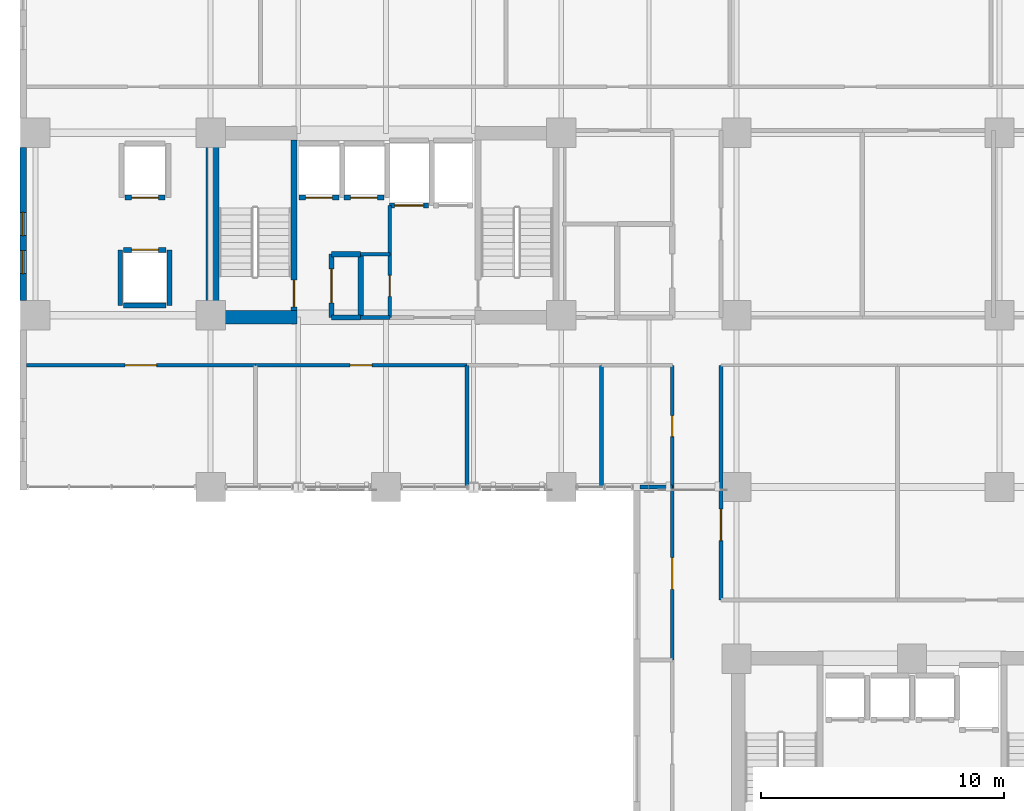
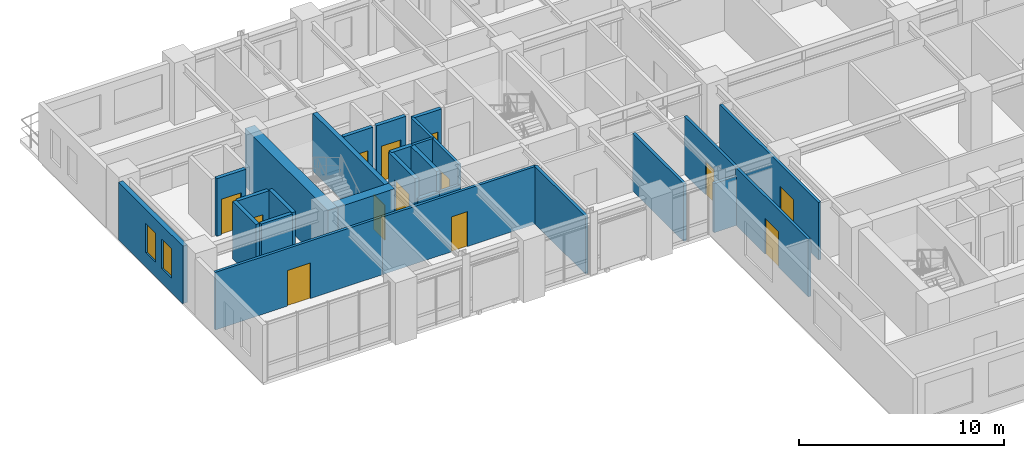
# One storey, part 8 of 16: 28 walls, 13 doors, 2 windows, 15 openings.
"""IFC4 building model written with IfcOpenShell, lengths in metres."""

from ifc_helpers import new_model, si_unit, direction, frame, frame_2d, origin, place, context, subcontext, project, spatial, rectangle, extrude, material, layer, layer_set, type_object, element, fill, save


model = new_model("IFC4")

# Units and contexts
model_context = context("Model", 3, precision=1e-05, world=origin(), true_north=direction((0.0, 1.0)))
body_context = subcontext(model_context, "Body", "Model", "MODEL_VIEW")
ifc_project = project(units=[si_unit("LENGTHUNIT", "METRE"), si_unit("AREAUNIT", "SQUARE_METRE"), si_unit("VOLUMEUNIT", "CUBIC_METRE"), si_unit("PLANEANGLEUNIT", "RADIAN"), si_unit("MASSUNIT", "GRAM", prefix="KILO")], contexts=[model_context])

# Site, building, storey
site_placement = place(None, origin())
site = spatial("IfcSite", under=ifc_project, at=site_placement, CompositionType="ELEMENT")
building_placement = place(site_placement, origin())
building = spatial("IfcBuilding", under=site, at=building_placement, Name="Kaliganga Portal Commons", CompositionType="ELEMENT")
storey_placement = place(building_placement, frame((0.0, 0.0, 82.300048828125)))
storey = spatial("IfcBuildingStorey", under=building, at=storey_placement, Name="L20", CompositionType="ELEMENT", Elevation=82.300048828125)

# Walls
ifc_material_1 = material(Name="Concrete C60/75", Category="concrete")
ifc_layer_1 = layer(ifc_material_1, 0.550048828125)
ifc_layer_set_1 = layer_set([ifc_layer_1], Name="Concrete C60/75")
wall_type_1 = type_object("IfcWallType", Name="WL-CORE-550", PredefinedType="SHEAR", material=ifc_layer_set_1)
wall_1_placement = place(storey_placement, frame((14.47509765625, 28.300048828125, 0.0), z_axis=(0.0, 0.0, 1.0), x_axis=(0.0, 1.0, 0.0)))
element("IfcWall", 1, at=wall_1_placement, inside=storey, type_object=wall_type_1, Name="Core A West Shear Wall L20", PredefinedType="SHEAR", context=body_context, shape_type="SweptSolid", body=[
    extrude(rectangle(XDim=8.099853515625, YDim=0.550048828125, at=frame_2d((4.0498046875, 0.0))), origin(), (0.0, 0.0, 1.0), 3.449951171875),
])
wall_2_placement = place(storey_placement, frame((14.75, 28.574951171875, 0.0), z_axis=(0.0, 0.0, 1.0), x_axis=(1.0, 0.0, 0.0)))
element("IfcWall", 2, at=wall_2_placement, inside=storey, type_object=wall_type_1, Name="Core A S-West Shear Wall L20", PredefinedType="SHEAR", context=body_context, shape_type="SweptSolid", body=[
    extrude(rectangle(XDim=3.199951171875, YDim=0.550048828125, at=frame_2d((1.60009765625, 0.0))), origin(), (0.0, 0.0, 1.0), 3.449951171875),
])

# Wall, openings, windows
ifc_material_2 = material(Name="Insulated Aluminium-Clad Spandrel Assembly", Category="aluminium")
ifc_layer_2 = layer(ifc_material_2, 0.260009765625)
ifc_layer_set_2 = layer_set([ifc_layer_2], Name="Insulated Aluminium-Clad Spandrel Assembly")
wall_type_2 = type_object("IfcWallType", Name="WL-EXT-SPAND-260", PredefinedType="STANDARD", material=ifc_layer_set_2)
wall_3_placement = place(storey_placement, frame((6.699951171875, 29.2509765625, 0.0), z_axis=(0.0, 0.0, 1.0), x_axis=(0.0, 1.0, 0.0)))
wall_3 = element("IfcWall", 3, at=wall_3_placement, inside=storey, type_object=wall_type_2, Name="Exterior Envelope Wall L20 P1-E03-S2", PredefinedType="STANDARD", context=body_context, shape_type="SweptSolid", body=[
    extrude(rectangle(XDim=6.298095703125, YDim=0.260009765625, at=frame_2d((3.14892578125, 0.0))), origin(), (0.0, 0.0, 1.0), 3.429931640625),
])
opening_1_placement = place(wall_3_placement, frame((2.674072265625, 0.0, 0.85009765625)))
opening_1 = element("IfcOpeningElement", 4, at=opening_1_placement, cuts=wall_3, Name="Opening W-04", PredefinedType="OPENING", context=body_context, shape_type="SweptSolid", body=[
    extrude(rectangle(XDim=0.949951171875, YDim=1.75, at=frame_2d((0.47509765625, 0.875))), frame((0.0, 0.14013671875, 0.0), z_axis=(0.0, -1.0, 0.0), x_axis=(1.0, 0.0, 0.0)), (0.0, 0.0, 1.0), 0.280029296875),
])
opening_2_placement = place(wall_3_placement, frame((1.112060546875, 0.0, 0.85009765625)))
opening_2 = element("IfcOpeningElement", 5, at=opening_2_placement, cuts=wall_3, Name="Opening W-04", PredefinedType="OPENING", context=body_context, shape_type="SweptSolid", body=[
    extrude(rectangle(XDim=0.949951171875, YDim=1.75, at=frame_2d((0.47509765625, 0.875))), frame((0.0, 0.14013671875, 0.0), z_axis=(0.0, -1.0, 0.0), x_axis=(1.0, 0.0, 0.0)), (0.0, 0.0, 1.0), 0.280029296875),
])
ifc_material_3 = material(Name="Thermally Broken Aluminium and Low-E Double Glazing", Category="aluminium")
window_type = type_object("IfcWindowType", Name="WIN-NARROW-950", PartitioningType="SINGLE_PANEL", PredefinedType="WINDOW", material=ifc_material_3)
window_1_placement = place(opening_1_placement, origin())
window_1 = element("IfcWindow", 6, at=window_1_placement, inside=storey, type_object=window_type, Name="Facade Window L20-P1E03S2-N0", OverallHeight=1.75, OverallWidth=0.949951171875, PartitioningType="SINGLE_PANEL", PredefinedType="WINDOW", context=body_context, shape_type="SweptSolid", body=[
    extrude(rectangle(XDim=0.949951171875, YDim=1.75, at=frame_2d((0.47509765625, 0.875))), frame((0.0, 0.030029296875, 0.0), z_axis=(0.0, -1.0, 0.0), x_axis=(1.0, 0.0, 0.0)), (0.0, 0.0, 1.0), 0.06005859375),
])
fill(opening_1, window_1)
window_2_placement = place(opening_2_placement, origin())
window_2 = element("IfcWindow", 7, at=window_2_placement, inside=storey, type_object=window_type, Name="Facade Window L20-P1E03S2-N1", OverallHeight=1.75, OverallWidth=0.949951171875, PartitioningType="SINGLE_PANEL", PredefinedType="WINDOW", context=body_context, shape_type="SweptSolid", body=[
    extrude(rectangle(XDim=0.949951171875, YDim=1.75, at=frame_2d((0.47509765625, 0.875))), frame((0.0, 0.030029296875, 0.0), z_axis=(0.0, -1.0, 0.0), x_axis=(1.0, 0.0, 0.0)), (0.0, 0.0, 1.0), 0.06005859375),
])
fill(opening_2, window_2)

# Wall, opening, door
ifc_material_4 = material(Name="Fire-Rated Gypsum Board on Steel Stud", Category="steel")
ifc_layer_3 = layer(ifc_material_4, 0.14990234375)
ifc_layer_set_3 = layer_set([ifc_layer_3], Name="Fire-Rated Gypsum Board on Steel Stud")
wall_type_3 = type_object("IfcWallType", Name="WL-PART-CORR-150", PredefinedType="PARTITIONING", material=ifc_layer_set_3)
wall_4_placement = place(storey_placement, frame((35.360107421875, 16.9599609375, 0.0), z_axis=(0.0, 0.0, 1.0), x_axis=(0.0, 1.0, 0.0)))
wall_4 = element("IfcWall", 8, at=wall_4_placement, inside=storey, type_object=wall_type_3, Name="Interior Partition L20-010", PredefinedType="PARTITIONING", context=body_context, shape_type="SweptSolid", body=[
    extrude(rectangle(XDim=9.64013671875, YDim=0.14990234375, at=frame_2d((4.820068359375, 0.0))), origin(), (0.0, 0.0, 1.0), 3.429931640625),
])
opening_3_placement = place(wall_4_placement, frame((2.434814453125, 0.0, 0.0)))
opening_3 = element("IfcOpeningElement", 9, at=opening_3_placement, cuts=wall_4, Name="Opening RD-03", PredefinedType="OPENING", context=body_context, shape_type="SweptSolid", body=[
    extrude(rectangle(XDim=1.300048828125, YDim=2.1201171875, at=frame_2d((0.64990234375, 1.06005859375))), frame((0.0, 0.0849609375, 0.0), z_axis=(0.0, -1.0, 0.0), x_axis=(1.0, 0.0, 0.0)), (0.0, 0.0, 1.0), 0.169921875),
])
ifc_material_5 = material(Name="Glazed Timber Seminar Vision Door", Category="wood")
door_type_1 = type_object("IfcDoorType", Name="DR-STUDY-1300", OperationType="DOUBLE_DOOR_SINGLE_SWING", PredefinedType="DOOR", material=ifc_material_5)
door_1_placement = place(opening_3_placement, origin())
door_1 = element("IfcDoor", 10, at=door_1_placement, inside=storey, type_object=door_type_1, Name="Interior Door L20-BM01", OperationType="DOUBLE_DOOR_SINGLE_SWING", OverallHeight=2.1201171875, OverallWidth=1.300048828125, PredefinedType="DOOR", context=body_context, shape_type="SweptSolid", body=[
    extrude(rectangle(XDim=1.300048828125, YDim=2.1201171875, at=frame_2d((0.64990234375, 1.06005859375))), frame((0.0, 0.02490234375, 0.0), z_axis=(0.0, -1.0, 0.0), x_axis=(1.0, 0.0, 0.0)), (0.0, 0.0, 1.0), 0.050048828125),
])
fill(opening_3, door_1)

wall_5_placement = place(storey_placement, frame((6.83203125, 26.60009765625, 0.0), z_axis=(0.0, 0.0, 1.0), x_axis=(1.0, 0.0, 0.0)))
wall_5 = element("IfcWall", 11, at=wall_5_placement, inside=storey, type_object=wall_type_3, Name="Interior Partition L20-011", PredefinedType="PARTITIONING", context=body_context, shape_type="SweptSolid", body=[
    extrude(rectangle(XDim=9.407958984375, YDim=0.14990234375, at=frame_2d((4.7041015625, 0.0))), origin(), (0.0, 0.0, 1.0), 3.429931640625),
])
opening_4_placement = place(wall_5_placement, frame((4.053955078125, 0.0, 0.0)))
opening_4 = element("IfcOpeningElement", 12, at=opening_4_placement, cuts=wall_5, Name="Opening RD-03", PredefinedType="OPENING", context=body_context, shape_type="SweptSolid", body=[
    extrude(rectangle(XDim=1.300048828125, YDim=2.1201171875, at=frame_2d((0.64990234375, 1.06005859375))), frame((0.0, 0.0849609375, 0.0), z_axis=(0.0, -1.0, 0.0), x_axis=(1.0, 0.0, 0.0)), (0.0, 0.0, 1.0), 0.169921875),
])
door_2_placement = place(opening_4_placement, origin())
door_2 = element("IfcDoor", 13, at=door_2_placement, inside=storey, type_object=door_type_1, Name="Interior Door L20-AS01", OperationType="DOUBLE_DOOR_SINGLE_SWING", OverallHeight=2.1201171875, OverallWidth=1.300048828125, PredefinedType="DOOR", context=body_context, shape_type="SweptSolid", body=[
    extrude(rectangle(XDim=1.300048828125, YDim=2.1201171875, at=frame_2d((0.64990234375, 1.06005859375))), frame((0.0, 0.02490234375, 0.0), z_axis=(0.0, -1.0, 0.0), x_axis=(1.0, 0.0, 0.0)), (0.0, 0.0, 1.0), 0.050048828125),
])
fill(opening_4, door_2)

wall_6_placement = place(storey_placement, frame((16.239990234375, 26.60009765625, 0.0), z_axis=(0.0, 0.0, 1.0), x_axis=(1.0, 0.0, 0.0)))
wall_6 = element("IfcWall", 14, at=wall_6_placement, inside=storey, type_object=wall_type_3, Name="Interior Partition L20-015", PredefinedType="PARTITIONING", context=body_context, shape_type="SweptSolid", body=[
    extrude(rectangle(XDim=8.679931640625, YDim=0.14990234375, at=frame_2d((4.33984375, 0.0))), origin(), (0.0, 0.0, 1.0), 3.429931640625),
])
opening_5_placement = place(wall_6_placement, frame((3.889892578125, 0.0, 0.0)))
opening_5 = element("IfcOpeningElement", 15, at=opening_5_placement, cuts=wall_6, Name="Opening RD-01", PredefinedType="OPENING", context=body_context, shape_type="SweptSolid", body=[
    extrude(rectangle(XDim=0.89990234375, YDim=2.080078125, at=frame_2d((0.449951171875, 1.0400390625))), frame((0.0, 0.0849609375, 0.0), z_axis=(0.0, -1.0, 0.0), x_axis=(1.0, 0.0, 0.0)), (0.0, 0.0, 1.0), 0.169921875),
])
ifc_material_6 = material(Name="Engineered Timber Flush Door", Category="wood")
door_type_2 = type_object("IfcDoorType", Name="DR-ROOM-900", OperationType="NOTDEFINED", PredefinedType="DOOR", material=ifc_material_6)
door_3_placement = place(opening_5_placement, origin())
door_3 = element("IfcDoor", 16, at=door_3_placement, inside=storey, type_object=door_type_2, Name="Interior Door L20-AS02", OperationType="SINGLE_SWING_LEFT", OverallHeight=2.080078125, OverallWidth=0.89990234375, PredefinedType="DOOR", context=body_context, shape_type="SweptSolid", body=[
    extrude(rectangle(XDim=0.89990234375, YDim=2.080078125, at=frame_2d((0.449951171875, 1.0400390625))), frame((0.0, 0.02490234375, 0.0), z_axis=(0.0, -1.0, 0.0), x_axis=(1.0, 0.0, 0.0)), (0.0, 0.0, 1.0), 0.050048828125),
])
fill(opening_5, door_3)

wall_7_placement = place(storey_placement, frame((33.360107421875, 14.5, 0.0), z_axis=(0.0, 0.0, 1.0), x_axis=(0.0, 1.0, 0.0)))
wall_7 = element("IfcWall", 17, at=wall_7_placement, inside=storey, type_object=wall_type_3, Name="Interior Partition L20-019", PredefinedType="PARTITIONING", context=body_context, shape_type="SweptSolid", body=[
    extrude(rectangle(XDim=7.10009765625, YDim=0.14990234375, at=frame_2d((3.550048828125, 0.0))), origin(), (0.0, 0.0, 1.0), 3.429931640625),
])
opening_6_placement = place(wall_7_placement, frame((2.89990234375, 0.0, 0.0)))
opening_6 = element("IfcOpeningElement", 18, at=opening_6_placement, cuts=wall_7, Name="Opening RD-03", PredefinedType="OPENING", context=body_context, shape_type="SweptSolid", body=[
    extrude(rectangle(XDim=1.300048828125, YDim=2.1201171875, at=frame_2d((0.64990234375, 1.06005859375))), frame((0.0, 0.0849609375, 0.0), z_axis=(0.0, -1.0, 0.0), x_axis=(1.0, 0.0, 0.0)), (0.0, 0.0, 1.0), 0.169921875),
])
door_4_placement = place(opening_6_placement, origin())
door_4 = element("IfcDoor", 19, at=door_4_placement, inside=storey, type_object=door_type_1, Name="Interior Door L20-KW02", OperationType="DOUBLE_DOOR_SINGLE_SWING", OverallHeight=2.1201171875, OverallWidth=1.300048828125, PredefinedType="DOOR", context=body_context, shape_type="SweptSolid", body=[
    extrude(rectangle(XDim=1.300048828125, YDim=2.1201171875, at=frame_2d((0.64990234375, 1.06005859375))), frame((0.0, 0.02490234375, 0.0), z_axis=(0.0, -1.0, 0.0), x_axis=(1.0, 0.0, 0.0)), (0.0, 0.0, 1.0), 0.050048828125),
])
fill(opening_6, door_4)

wall_8_placement = place(storey_placement, frame((33.360107421875, 21.60009765625, 0.0), z_axis=(0.0, 0.0, 1.0), x_axis=(0.0, 1.0, 0.0)))
wall_8 = element("IfcWall", 20, at=wall_8_placement, inside=storey, type_object=wall_type_3, Name="Interior Partition L20-026", PredefinedType="PARTITIONING", context=body_context, shape_type="SweptSolid", body=[
    extrude(rectangle(XDim=5.0, YDim=0.14990234375, at=frame_2d((2.5, 0.0))), origin(), (0.0, 0.0, 1.0), 3.429931640625),
])
opening_7_placement = place(wall_8_placement, frame((2.070068359375, 0.0, 0.0)))
opening_7 = element("IfcOpeningElement", 21, at=opening_7_placement, cuts=wall_8, Name="Opening WD-02", PredefinedType="OPENING", context=body_context, shape_type="SweptSolid", body=[
    extrude(rectangle(XDim=0.860107421875, YDim=2.02001953125, at=frame_2d((0.43017578125, 1.010009765625))), frame((0.0, 0.0849609375, 0.0), z_axis=(0.0, -1.0, 0.0), x_axis=(1.0, 0.0, 0.0)), (0.0, 0.0, 1.0), 0.169921875),
])
ifc_material_7 = material(Name="Fire-Rated Utility Closet Door", Category="wood")
door_type_3 = type_object("IfcDoorType", Name="DR-STORE-800", OperationType="NOTDEFINED", PredefinedType="DOOR", material=ifc_material_7)
door_5_placement = place(opening_7_placement, origin())
door_5 = element("IfcDoor", 22, at=door_5_placement, inside=storey, type_object=door_type_3, Name="Interior Door L20-AS04", OperationType="SINGLE_SWING_RIGHT", OverallHeight=2.02001953125, OverallWidth=0.860107421875, PredefinedType="DOOR", context=body_context, shape_type="SweptSolid", body=[
    extrude(rectangle(XDim=0.860107421875, YDim=2.02001953125, at=frame_2d((0.43017578125, 1.010009765625))), frame((0.0, 0.02490234375, 0.0), z_axis=(0.0, -1.0, 0.0), x_axis=(1.0, 0.0, 0.0)), (0.0, 0.0, 1.0), 0.050048828125),
])
fill(opening_7, door_5)

wall_9_placement = place(storey_placement, frame((21.760009765625, 28.56005859375, 0.0), z_axis=(0.0, 0.0, 1.0), x_axis=(0.0, 1.0, 0.0)))
wall_9 = element("IfcWall", 23, at=wall_9_placement, inside=storey, type_object=wall_type_3, Name="Interior Partition L20-035", PredefinedType="PARTITIONING", context=body_context, shape_type="SweptSolid", body=[
    extrude(rectangle(XDim=2.599853515625, YDim=0.14990234375, at=frame_2d((1.2998046875, 0.0))), origin(), (0.0, 0.0, 1.0), 3.429931640625),
])
opening_8_placement = place(wall_9_placement, frame((0.8701171875, 0.0, 0.0)))
opening_8 = element("IfcOpeningElement", 24, at=opening_8_placement, cuts=wall_9, Name="Opening WD-02", PredefinedType="OPENING", context=body_context, shape_type="SweptSolid", body=[
    extrude(rectangle(XDim=0.860107421875, YDim=2.02001953125, at=frame_2d((0.43017578125, 1.010009765625))), frame((0.0, 0.0849609375, 0.0), z_axis=(0.0, -1.0, 0.0), x_axis=(1.0, 0.0, 0.0)), (0.0, 0.0, 1.0), 0.169921875),
])
door_6_placement = place(opening_8_placement, origin())
door_6 = element("IfcDoor", 25, at=door_6_placement, inside=storey, type_object=door_type_3, Name="Interior Door L20-CIN_A2", OperationType="SINGLE_SWING_RIGHT", OverallHeight=2.02001953125, OverallWidth=0.860107421875, PredefinedType="DOOR", context=body_context, shape_type="SweptSolid", body=[
    extrude(rectangle(XDim=0.860107421875, YDim=2.02001953125, at=frame_2d((0.43017578125, 1.010009765625))), frame((0.0, 0.02490234375, 0.0), z_axis=(0.0, -1.0, 0.0), x_axis=(1.0, 0.0, 0.0)), (0.0, 0.0, 1.0), 0.050048828125),
])
fill(opening_8, door_6)

# Walls
wall_10_placement = place(storey_placement, frame((20.56005859375, 28.56005859375, 0.0), z_axis=(0.0, 0.0, 1.0), x_axis=(1.0, 0.0, 0.0)))
element("IfcWall", 26, at=wall_10_placement, inside=storey, type_object=wall_type_3, Name="Interior Partition L20-042", PredefinedType="PARTITIONING", context=body_context, shape_type="SweptSolid", body=[
    extrude(rectangle(XDim=1.199951171875, YDim=0.14990234375, at=frame_2d((0.60009765625, 0.0))), origin(), (0.0, 0.0, 1.0), 2.22998046875),
])
wall_11_placement = place(storey_placement, frame((20.56005859375, 31.159912109375, 0.0), z_axis=(0.0, 0.0, 1.0), x_axis=(1.0, 0.0, 0.0)))
element("IfcWall", 27, at=wall_11_placement, inside=storey, type_object=wall_type_3, Name="Interior Partition L20-043", PredefinedType="PARTITIONING", context=body_context, shape_type="SweptSolid", body=[
    extrude(rectangle(XDim=1.199951171875, YDim=0.14990234375, at=frame_2d((0.60009765625, 0.0))), origin(), (0.0, 0.0, 1.0), 3.429931640625),
])
wall_12_placement = place(storey_placement, frame((21.760009765625, 31.159912109375, 0.0), z_axis=(0.0, 0.0, 1.0), x_axis=(0.0, 1.0, 0.0)))
element("IfcWall", 28, at=wall_12_placement, inside=storey, type_object=wall_type_3, Name="Interior Partition L20-080", PredefinedType="PARTITIONING", context=body_context, shape_type="SweptSolid", body=[
    extrude(rectangle(XDim=2.0, YDim=0.14990234375, at=frame_2d((1.0, 0.0))), origin(), (0.0, 0.0, 1.0), 3.429931640625),
])

# Wall, opening, door
ifc_material_8 = material(Name="Lightweight blockwork masonry", Category="masonry")
ifc_layer_4 = layer(ifc_material_8, 0.215087890625)
ifc_layer_set_4 = layer_set([ifc_layer_4], Name="Lightweight blockwork masonry")
wall_type_4 = type_object("IfcWallType", Name="WL-PART-PLANT-215", PredefinedType="PARTITIONING", material=ifc_layer_set_4)
wall_13_placement = place(storey_placement, frame((19.360107421875, 28.56005859375, 0.0), z_axis=(0.0, 0.0, 1.0), x_axis=(0.0, 1.0, 0.0)))
wall_13 = element("IfcWall", 29, at=wall_13_placement, inside=storey, type_object=wall_type_4, Name="Interior Partition L20-034", PredefinedType="PARTITIONING", context=body_context, shape_type="SweptSolid", body=[
    extrude(rectangle(XDim=2.599853515625, YDim=0.215087890625, at=frame_2d((1.2998046875, 0.0))), origin(), (0.0, 0.0, 1.0), 3.429931640625),
])
opening_9_placement = place(wall_13_placement, frame((0.60009765625, 0.0, 0.0)))
opening_9 = element("IfcOpeningElement", 30, at=opening_9_placement, cuts=wall_13, Name="Opening PD-01", PredefinedType="OPENING", context=body_context, shape_type="SweptSolid", body=[
    extrude(rectangle(XDim=1.39990234375, YDim=2.14990234375, at=frame_2d((0.699951171875, 1.074951171875))), frame((0.0, 0.11767578125, 0.0), z_axis=(0.0, -1.0, 0.0), x_axis=(1.0, 0.0, 0.0)), (0.0, 0.0, 1.0), 0.235107421875),
])
ifc_material_9 = material(Name="Heavy-Duty Steel Acoustic Louvre Fire Door", Category="steel")
door_type_4 = type_object("IfcDoorType", Name="DR-PLANT-1400", OperationType="DOUBLE_DOOR_SINGLE_SWING", PredefinedType="DOOR", material=ifc_material_9)
door_7_placement = place(opening_9_placement, origin())
door_7 = element("IfcDoor", 31, at=door_7_placement, inside=storey, type_object=door_type_4, Name="Interior Door L20-CIN_A1", OperationType="DOUBLE_DOOR_SINGLE_SWING", OverallHeight=2.14990234375, OverallWidth=1.39990234375, PredefinedType="DOOR", context=body_context, shape_type="SweptSolid", body=[
    extrude(rectangle(XDim=1.39990234375, YDim=2.14990234375, at=frame_2d((0.699951171875, 1.074951171875))), frame((0.0, 0.02490234375, 0.0), z_axis=(0.0, -1.0, 0.0), x_axis=(1.0, 0.0, 0.0)), (0.0, 0.0, 1.0), 0.050048828125),
])
fill(opening_9, door_7)

# Walls
wall_14_placement = place(storey_placement, frame((19.360107421875, 28.56005859375, 0.0), z_axis=(0.0, 0.0, 1.0), x_axis=(1.0, 0.0, 0.0)))
element("IfcWall", 32, at=wall_14_placement, inside=storey, type_object=wall_type_4, Name="Interior Partition L20-044", PredefinedType="PARTITIONING", context=body_context, shape_type="SweptSolid", body=[
    extrude(rectangle(XDim=1.199951171875, YDim=0.215087890625, at=frame_2d((0.60009765625, 0.0))), origin(), (0.0, 0.0, 1.0), 2.22998046875),
])
wall_15_placement = place(storey_placement, frame((19.360107421875, 31.159912109375, 0.0), z_axis=(0.0, 0.0, 1.0), x_axis=(1.0, 0.0, 0.0)))
element("IfcWall", 33, at=wall_15_placement, inside=storey, type_object=wall_type_4, Name="Interior Partition L20-045", PredefinedType="PARTITIONING", context=body_context, shape_type="SweptSolid", body=[
    extrude(rectangle(XDim=1.199951171875, YDim=0.215087890625, at=frame_2d((0.60009765625, 0.0))), origin(), (0.0, 0.0, 1.0), 3.429931640625),
])
wall_16_placement = place(storey_placement, frame((20.56005859375, 28.56005859375, 0.0), z_axis=(0.0, 0.0, 1.0), x_axis=(0.0, 1.0, 0.0)))
element("IfcWall", 34, at=wall_16_placement, inside=storey, type_object=wall_type_4, Name="Interior Partition L20-076", PredefinedType="PARTITIONING", context=body_context, shape_type="SweptSolid", body=[
    extrude(rectangle(XDim=2.599853515625, YDim=0.215087890625, at=frame_2d((1.2998046875, 0.0))), origin(), (0.0, 0.0, 1.0), 3.429931640625),
])
ifc_material_10 = material(Name="Twin-Stud Acoustic Gypsum Partition", Category="gypsum")
ifc_layer_5 = layer(ifc_material_10, 0.1650390625)
ifc_layer_set_5 = layer_set([ifc_layer_5], Name="Twin-Stud Acoustic Gypsum Partition")
wall_type_5 = type_object("IfcWallType", Name="WL-PART-UNIT-165", PredefinedType="PARTITIONING", material=ifc_layer_set_5)
for number, where, z_axis, x_axis, name in (
    (35, (24.919921875, 21.6201171875, 0.0), (0.0, 0.0, 1.0), (0.0, 1.0, 0.0), "Interior Partition L20-067"),
    (36, (30.4599609375, 21.6201171875, 0.0), (0.0, 0.0, 1.0), (0.0, 1.0, 0.0), "Interior Partition L20-068"),
):
    element("IfcWall", number, at=place(storey_placement, frame(where, z_axis=z_axis, x_axis=x_axis)), inside=storey, type_object=wall_type_5, Name=name, PredefinedType="PARTITIONING", context=body_context, shape_type="SweptSolid", body=[
        extrude(rectangle(XDim=4.97998046875, YDim=0.1650390625, at=frame_2d((2.489990234375, 0.0))), origin(), (0.0, 0.0, 1.0), 3.429931640625),
    ])
wall_17_placement = place(storey_placement, frame((32.031982421875, 21.60009765625, 0.0), z_axis=(0.0, 0.0, 1.0), x_axis=(1.0, 0.0, 0.0)))
element("IfcWall", 37, at=wall_17_placement, inside=storey, type_object=wall_type_5, Name="Interior Partition L20-082", PredefinedType="PARTITIONING", context=body_context, shape_type="SweptSolid", body=[
    extrude(rectangle(XDim=1.328125, YDim=0.1650390625, at=frame_2d((0.6640625, 0.0))), origin(), (0.0, 0.0, 1.0), 2.929931640625),
])

# Wall, opening, door
ifc_material_11 = material(Name="Fire-Rated Shaftwall Masonry Assembly", Category="masonry")
ifc_layer_6 = layer(ifc_material_11, 0.199951171875)
ifc_layer_set_6 = layer_set([ifc_layer_6], Name="Fire-Rated Shaftwall Masonry Assembly")
wall_type_6 = type_object("IfcWallType", Name="WL-SHAFT-200", PredefinedType="PARTITIONING", material=ifc_layer_set_6)
wall_18_placement = place(storey_placement, frame((18.02490234375, 33.485107421875, 0.0), z_axis=(0.0, 0.0, 1.0), x_axis=(1.0, 0.0, 0.0)))
wall_18 = element("IfcWall", 38, at=wall_18_placement, inside=storey, type_object=wall_type_6, Name="Lift PL-A1 Hoistway Shaft Wall L20-S", PredefinedType="PARTITIONING", context=body_context, shape_type="SweptSolid", body=[
    extrude(rectangle(XDim=1.650146484375, YDim=0.199951171875, at=frame_2d((0.8251953125, 0.0))), origin(), (0.0, 0.0, 1.0), 3.429931640625),
])
opening_10_placement = place(wall_18_placement, frame((0.27490234375, 0.0, 0.0)))
opening_10 = element("IfcOpeningElement", 39, at=opening_10_placement, cuts=wall_18, Name="Opening LD-01", PredefinedType="OPENING", context=body_context, shape_type="SweptSolid", body=[
    extrude(rectangle(XDim=1.10009765625, YDim=2.1201171875, at=frame_2d((0.550048828125, 1.06005859375))), frame((0.0, 0.10986328125, 0.0), z_axis=(0.0, -1.0, 0.0), x_axis=(1.0, 0.0, 0.0)), (0.0, 0.0, 1.0), 0.219970703125),
])
ifc_material_12 = material(Name="Brushed Stainless Steel 316 Lift Landing Door", Category="steel")
door_type_5 = type_object("IfcDoorType", Name="DR-LIFT-1100", OperationType="SLIDING_TO_LEFT", PredefinedType="DOOR", material=ifc_material_12)
door_8_placement = place(opening_10_placement, origin())
door_8 = element("IfcDoor", 40, at=door_8_placement, inside=storey, type_object=door_type_5, Name="Lift PL-A1 Sliding Landing Door L20", OperationType="SLIDING_TO_LEFT", OverallHeight=2.1201171875, OverallWidth=1.10009765625, PredefinedType="DOOR", context=body_context, shape_type="SweptSolid", body=[
    extrude(rectangle(XDim=1.10009765625, YDim=2.1201171875, at=frame_2d((0.550048828125, 1.06005859375))), frame((0.0, 0.02490234375, 0.0), z_axis=(0.0, -1.0, 0.0), x_axis=(1.0, 0.0, 0.0)), (0.0, 0.0, 1.0), 0.050048828125),
])
fill(opening_10, door_8)

wall_19_placement = place(storey_placement, frame((19.875, 33.485107421875, 0.0), z_axis=(0.0, 0.0, 1.0), x_axis=(1.0, 0.0, 0.0)))
wall_19 = element("IfcWall", 41, at=wall_19_placement, inside=storey, type_object=wall_type_6, Name="Lift PL-A2 Hoistway Shaft Wall L20-S", PredefinedType="PARTITIONING", context=body_context, shape_type="SweptSolid", body=[
    extrude(rectangle(XDim=1.64990234375, YDim=0.199951171875, at=frame_2d((0.824951171875, 0.0))), origin(), (0.0, 0.0, 1.0), 3.429931640625),
])
opening_11_placement = place(wall_19_placement, frame((0.27490234375, 0.0, 0.0)))
opening_11 = element("IfcOpeningElement", 42, at=opening_11_placement, cuts=wall_19, Name="Opening LD-01", PredefinedType="OPENING", context=body_context, shape_type="SweptSolid", body=[
    extrude(rectangle(XDim=1.10009765625, YDim=2.1201171875, at=frame_2d((0.550048828125, 1.06005859375))), frame((0.0, 0.10986328125, 0.0), z_axis=(0.0, -1.0, 0.0), x_axis=(1.0, 0.0, 0.0)), (0.0, 0.0, 1.0), 0.219970703125),
])
door_9_placement = place(opening_11_placement, origin())
door_9 = element("IfcDoor", 43, at=door_9_placement, inside=storey, type_object=door_type_5, Name="Lift PL-A2 Sliding Landing Door L20", OperationType="SLIDING_TO_LEFT", OverallHeight=2.1201171875, OverallWidth=1.10009765625, PredefinedType="DOOR", context=body_context, shape_type="SweptSolid", body=[
    extrude(rectangle(XDim=1.10009765625, YDim=2.1201171875, at=frame_2d((0.550048828125, 1.06005859375))), frame((0.0, 0.02490234375, 0.0), z_axis=(0.0, -1.0, 0.0), x_axis=(1.0, 0.0, 0.0)), (0.0, 0.0, 1.0), 0.050048828125),
])
fill(opening_11, door_9)

# Wall
wall_20_placement = place(storey_placement, frame((10.824951171875, 29.06005859375, 0.0), z_axis=(0.0, 0.0, 1.0), x_axis=(1.0, 0.0, 0.0)))
element("IfcWall", 44, at=wall_20_placement, inside=storey, type_object=wall_type_6, Name="Lift SH-1 Hoistway Shaft Wall L20-S", PredefinedType="PARTITIONING", context=body_context, shape_type="SweptSolid", body=[
    extrude(rectangle(XDim=1.75, YDim=0.199951171875, at=frame_2d((0.875, 0.0))), origin(), (0.0, 0.0, 1.0), 3.429931640625),
])

# Wall, opening, door
wall_21_placement = place(storey_placement, frame((10.824951171875, 31.340087890625, 0.0), z_axis=(0.0, 0.0, 1.0), x_axis=(1.0, 0.0, 0.0)))
wall_21 = element("IfcWall", 45, at=wall_21_placement, inside=storey, type_object=wall_type_6, Name="Lift SH-1 Hoistway Shaft Wall L20-N", PredefinedType="PARTITIONING", context=body_context, shape_type="SweptSolid", body=[
    extrude(rectangle(XDim=1.75, YDim=0.199951171875, at=frame_2d((0.875, 0.0))), origin(), (0.0, 0.0, 1.0), 3.429931640625),
])
opening_12_placement = place(wall_21_placement, frame((0.324951171875, 0.0, 0.0)))
opening_12 = element("IfcOpeningElement", 46, at=opening_12_placement, cuts=wall_21, Name="Opening LD-01", PredefinedType="OPENING", context=body_context, shape_type="SweptSolid", body=[
    extrude(rectangle(XDim=1.10009765625, YDim=2.1201171875, at=frame_2d((0.550048828125, 1.06005859375))), frame((0.0, 0.10986328125, 0.0), z_axis=(0.0, -1.0, 0.0), x_axis=(1.0, 0.0, 0.0)), (0.0, 0.0, 1.0), 0.219970703125),
])
door_10_placement = place(opening_12_placement, origin())
door_10 = element("IfcDoor", 47, at=door_10_placement, inside=storey, type_object=door_type_5, Name="Lift SH-1 Sliding Landing Door L20", OperationType="SLIDING_TO_LEFT", OverallHeight=2.1201171875, OverallWidth=1.10009765625, PredefinedType="DOOR", context=body_context, shape_type="SweptSolid", body=[
    extrude(rectangle(XDim=1.10009765625, YDim=2.1201171875, at=frame_2d((0.550048828125, 1.06005859375))), frame((0.0, 0.02490234375, 0.0), z_axis=(0.0, -1.0, 0.0), x_axis=(1.0, 0.0, 0.0)), (0.0, 0.0, 1.0), 0.050048828125),
])
fill(opening_12, door_10)

# Walls
for number, where, z_axis, x_axis, name in (
    (48, (10.68505859375, 29.06005859375, 0.0), (0.0, 0.0, 1.0), (0.0, 1.0, 0.0), "Lift SH-1 Hoistway Shaft Wall L20-W"),
    (49, (12.715087890625, 29.06005859375, 0.0), (0.0, 0.0, 1.0), (0.0, 1.0, 0.0), "Lift SH-1 Hoistway Shaft Wall L20-E"),
):
    element("IfcWall", number, at=place(storey_placement, frame(where, z_axis=z_axis, x_axis=x_axis)), inside=storey, type_object=wall_type_6, Name=name, PredefinedType="PARTITIONING", context=body_context, shape_type="SweptSolid", body=[
        extrude(rectangle(XDim=2.280029296875, YDim=0.199951171875, at=frame_2d((1.14013671875, 0.0))), origin(), (0.0, 0.0, 1.0), 3.429931640625),
    ])

# Wall, opening, door
wall_22_placement = place(storey_placement, frame((10.875, 33.485107421875, 0.0), z_axis=(0.0, 0.0, 1.0), x_axis=(1.0, 0.0, 0.0)))
wall_22 = element("IfcWall", 50, at=wall_22_placement, inside=storey, type_object=wall_type_6, Name="Lift PL-OBS Hoistway Shaft Wall L20-S", PredefinedType="PARTITIONING", context=body_context, shape_type="SweptSolid", body=[
    extrude(rectangle(XDim=1.64990234375, YDim=0.199951171875, at=frame_2d((0.824951171875, 0.0))), origin(), (0.0, 0.0, 1.0), 3.429931640625),
])
opening_13_placement = place(wall_22_placement, frame((0.27490234375, 0.0, 0.0)))
opening_13 = element("IfcOpeningElement", 51, at=opening_13_placement, cuts=wall_22, Name="Opening LD-01", PredefinedType="OPENING", context=body_context, shape_type="SweptSolid", body=[
    extrude(rectangle(XDim=1.10009765625, YDim=2.1201171875, at=frame_2d((0.550048828125, 1.06005859375))), frame((0.0, 0.10986328125, 0.0), z_axis=(0.0, -1.0, 0.0), x_axis=(1.0, 0.0, 0.0)), (0.0, 0.0, 1.0), 0.219970703125),
])
door_11_placement = place(opening_13_placement, origin())
door_11 = element("IfcDoor", 52, at=door_11_placement, inside=storey, type_object=door_type_5, Name="Lift PL-OBS Sliding Landing Door L20", OperationType="SLIDING_TO_LEFT", OverallHeight=2.1201171875, OverallWidth=1.10009765625, PredefinedType="DOOR", context=body_context, shape_type="SweptSolid", body=[
    extrude(rectangle(XDim=1.10009765625, YDim=2.1201171875, at=frame_2d((0.550048828125, 1.06005859375))), frame((0.0, 0.02490234375, 0.0), z_axis=(0.0, -1.0, 0.0), x_axis=(1.0, 0.0, 0.0)), (0.0, 0.0, 1.0), 0.050048828125),
])
fill(opening_13, door_11)

wall_23_placement = place(storey_placement, frame((21.75, 33.159912109375, 0.0), z_axis=(0.0, 0.0, 1.0), x_axis=(1.0, 0.0, 0.0)))
wall_23 = element("IfcWall", 53, at=wall_23_placement, inside=storey, type_object=wall_type_6, Name="Lift FFL-1 Hoistway Shaft Wall L20-S", PredefinedType="PARTITIONING", context=body_context, shape_type="SweptSolid", body=[
    extrude(rectangle(XDim=1.60009765625, YDim=0.199951171875, at=frame_2d((0.800048828125, 0.0))), origin(), (0.0, 0.0, 1.0), 3.429931640625),
])
opening_14_placement = place(wall_23_placement, frame((0.199951171875, 0.0, 0.0)))
opening_14 = element("IfcOpeningElement", 54, at=opening_14_placement, cuts=wall_23, Name="Opening LD-02", PredefinedType="OPENING", context=body_context, shape_type="SweptSolid", body=[
    extrude(rectangle(XDim=1.199951171875, YDim=2.1201171875, at=frame_2d((0.60009765625, 1.06005859375))), frame((0.0, 0.10986328125, 0.0), z_axis=(0.0, -1.0, 0.0), x_axis=(1.0, 0.0, 0.0)), (0.0, 0.0, 1.0), 0.219970703125),
])
ifc_material_13 = material(Name="Brushed Stainless Steel 316 Stretcher Lift Landing Door", Category="steel")
door_type_6 = type_object("IfcDoorType", Name="DR-LIFT-1200", OperationType="SLIDING_TO_RIGHT", PredefinedType="DOOR", material=ifc_material_13)
door_12_placement = place(opening_14_placement, origin())
door_12 = element("IfcDoor", 55, at=door_12_placement, inside=storey, type_object=door_type_6, Name="Lift FFL-1 Sliding Landing Door L20", OperationType="SLIDING_TO_RIGHT", OverallHeight=2.1201171875, OverallWidth=1.199951171875, PredefinedType="DOOR", context=body_context, shape_type="SweptSolid", body=[
    extrude(rectangle(XDim=1.199951171875, YDim=2.1201171875, at=frame_2d((0.60009765625, 1.06005859375))), frame((0.0, 0.02490234375, 0.0), z_axis=(0.0, -1.0, 0.0), x_axis=(1.0, 0.0, 0.0)), (0.0, 0.0, 1.0), 0.050048828125),
])
fill(opening_14, door_12)

ifc_material_14 = material(Name="Concrete C50/60", Category="concrete")
ifc_layer_7 = layer(ifc_material_14, 0.25)
ifc_layer_set_7 = layer_set([ifc_layer_7], Name="Concrete C50/60")
wall_type_7 = type_object("IfcWallType", Name="WL-STAIR-250", PredefinedType="SHEAR", material=ifc_layer_set_7)
wall_24_placement = place(storey_placement, frame((17.824951171875, 28.85009765625, 0.0), z_axis=(0.0, 0.0, 1.0), x_axis=(0.0, 1.0, 0.0)))
wall_24 = element("IfcWall", 56, at=wall_24_placement, inside=storey, type_object=wall_type_7, Name="Stair A1 Enclosure Shear Wall L20", PredefinedType="SHEAR", context=body_context, shape_type="SweptSolid", body=[
    extrude(rectangle(XDim=7.0, YDim=0.25, at=frame_2d((3.5, 0.0))), origin(), (0.0, 0.0, 1.0), 3.449951171875),
])
opening_15_placement = place(wall_24_placement, frame((0.14990234375, 0.0, 0.0)))
opening_15 = element("IfcOpeningElement", 57, at=opening_15_placement, cuts=wall_24, Name="Opening SD-01", PredefinedType="OPENING", context=body_context, shape_type="SweptSolid", body=[
    extrude(rectangle(XDim=1.10009765625, YDim=2.080078125, at=frame_2d((0.550048828125, 1.0400390625))), frame((0.0, 0.135009765625, 0.0), z_axis=(0.0, -1.0, 0.0), x_axis=(1.0, 0.0, 0.0)), (0.0, 0.0, 1.0), 0.27001953125),
])
ifc_material_15 = material(Name="Galvanized Steel Fire Door Leaf and Frame", Category="steel")
door_type_7 = type_object("IfcDoorType", Name="DR-STAIR-1100", OperationType="NOTDEFINED", PredefinedType="DOOR", material=ifc_material_15)
door_13_placement = place(opening_15_placement, origin())
door_13 = element("IfcDoor", 58, at=door_13_placement, inside=storey, type_object=door_type_7, Name="Protected Stair ST-A1 Fire Door L20", OperationType="SINGLE_SWING_RIGHT", OverallHeight=2.080078125, OverallWidth=1.10009765625, PredefinedType="DOOR", context=body_context, shape_type="SweptSolid", body=[
    extrude(rectangle(XDim=1.10009765625, YDim=2.080078125, at=frame_2d((0.550048828125, 1.0400390625))), frame((0.0, 0.02490234375, 0.0), z_axis=(0.0, -1.0, 0.0), x_axis=(1.0, 0.0, 0.0)), (0.0, 0.0, 1.0), 0.050048828125),
])
fill(opening_15, door_13)

save(model, "model.ifc")
